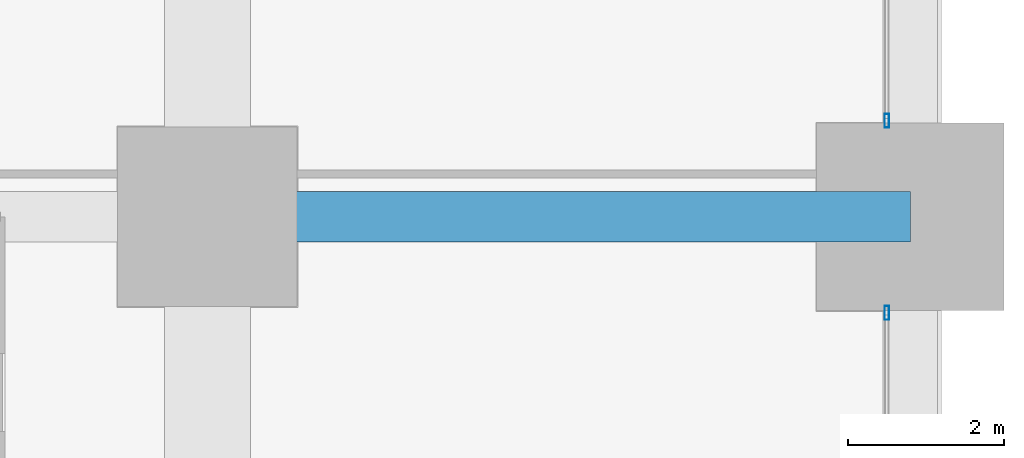
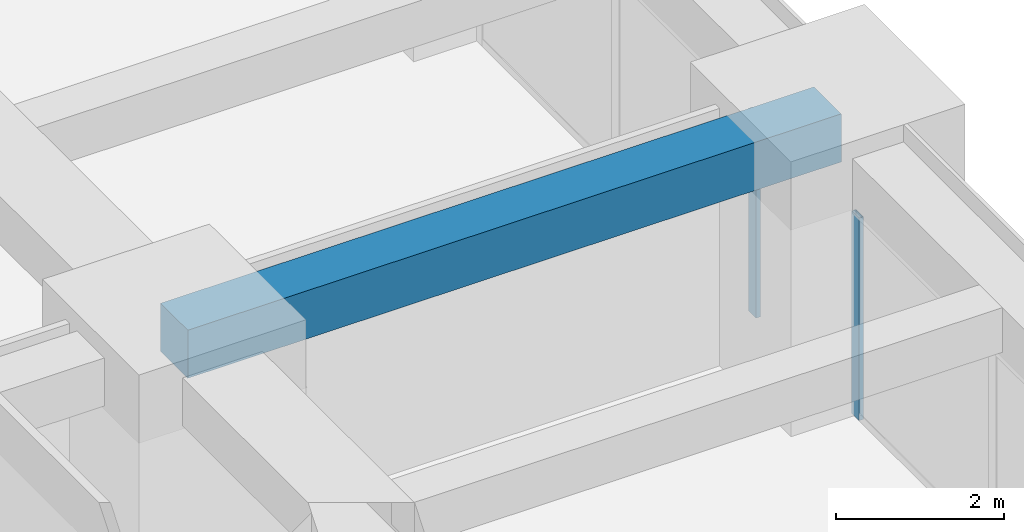
# One storey, part 32 of 45: 2 members, 1 beam, 2 elements without a shape of their own.
"""IFC4 building model written with IfcOpenShell, lengths in metres."""

from ifc_helpers import new_model, si_unit, direction, frame, origin, origin_2d, place, context, subcontext, project, spatial, rectangle, hollow_rectangle, extrude, material, material_profile, profile_set, type_object, element, aggregate, save


model = new_model("IFC4")

# Units and contexts
model_context = context("Model", 3, precision=1e-05, world=origin(), true_north=direction((0.0, 1.0)))
body_context = subcontext(model_context, "Body", "Model", "MODEL_VIEW")
ifc_project = project(units=[si_unit("LENGTHUNIT", "METRE"), si_unit("AREAUNIT", "SQUARE_METRE"), si_unit("VOLUMEUNIT", "CUBIC_METRE"), si_unit("PLANEANGLEUNIT", "RADIAN"), si_unit("MASSUNIT", "GRAM", prefix="KILO")], contexts=[model_context])

# Site, building, storey
site_placement = place(None, origin())
site = spatial("IfcSite", under=ifc_project, at=site_placement, CompositionType="ELEMENT")
building_placement = place(site_placement, origin())
building = spatial("IfcBuilding", under=site, at=building_placement, Name="Zorevar Civic Tower", CompositionType="ELEMENT")
storey_placement = place(building_placement, frame((0.0, 0.0, 47.800048828125)))
storey = spatial("IfcBuildingStorey", under=building, at=storey_placement, Name="L11", CompositionType="ELEMENT", Elevation=47.800048828125)

# Beam
ifc_material_1 = material(Name="Concrete C50/60", Category="concrete")
ifc_material_profile_1 = material_profile(ifc_material_1, rectangle(XDim=0.64990234375, YDim=0.699951171875, at=origin_2d()), Name="RC 650x700")
ifc_profile_set_1 = profile_set([ifc_material_profile_1], Name="Concrete C50/60")
beam_type = type_object("IfcBeamType", Name="Beam RC 650x700", PredefinedType="BEAM", material=ifc_profile_set_1)
beam_placement = place(storey_placement, frame((54.0, 36.0, 3.39990234375), z_axis=(1.0, 0.0, 0.0), x_axis=(0.0, 1.0, 0.0)))
element("IfcBeam", 1, at=beam_placement, inside=storey, type_object=beam_type, Name="Girder L12", PredefinedType="BEAM", context=body_context, shape_type="SweptSolid", body=[
    extrude(rectangle(XDim=0.64990234375, YDim=0.699951171875, at=origin_2d()), origin(), (0.0, 0.0, 1.0), 9.0),
])

# Curtain wall, member
ifc_material_2 = material(Name="Dark grey solar-control glass in black aluminium frame", Category="aluminium")
curtain_wall_type = type_object("IfcCurtainWallType", Name="Curtain wall CW2 low zone", PredefinedType="NOTDEFINED", material=ifc_material_2)
curtain_wall_1_placement = place(storey_placement, origin())
curtain_wall_1 = element("IfcCurtainWall", 2, at=curtain_wall_1_placement, inside=storey, type_object=curtain_wall_type, Name="CW2 L11", PredefinedType="NOTDEFINED")
ifc_material_3 = material(Name="Aluminium, black anodised", Category="aluminium")
ifc_material_profile_2 = material_profile(ifc_material_3, hollow_rectangle(XDim=0.06005859375, YDim=0.179931640625, WallThickness=0.00390625, at=origin_2d()), Name="AL 180x60x4")
ifc_profile_set_2 = profile_set([ifc_material_profile_2], Name="Aluminium, black anodised")
member_type = type_object("IfcMemberType", Name="CW2 mullion AL 180x60x4", PredefinedType="MULLION", material=ifc_profile_set_2)
member_1_placement = place(storey_placement, frame((62.699951171875, 34.77001953125, 0.0), z_axis=(0.0, 0.0, 1.0), x_axis=(-1.0, 0.0, 0.0)))
member_1 = element("IfcMember", 3, at=member_1_placement, type_object=member_type, Name="CW2 mullion 3", PredefinedType="MULLION", context=body_context, shape_type="SweptSolid", body=[
    extrude(hollow_rectangle(XDim=0.06005859375, YDim=0.179931640625, WallThickness=0.00390625, at=origin_2d()), origin(), (0.0, 0.0, 1.0), 2.949951171875),
])
aggregate(curtain_wall_1, [member_1])

curtain_wall_2_placement = place(storey_placement, origin())
curtain_wall_2 = element("IfcCurtainWall", 4, at=curtain_wall_2_placement, inside=storey, type_object=curtain_wall_type, Name="CW2 L11", PredefinedType="NOTDEFINED")
member_2_placement = place(storey_placement, frame((62.699951171875, 37.22998046875, 0.0), z_axis=(0.0, 0.0, 1.0), x_axis=(-1.0, 0.0, 0.0)))
member_2 = element("IfcMember", 5, at=member_2_placement, type_object=member_type, Name="CW2 mullion 1", PredefinedType="MULLION", context=body_context, shape_type="SweptSolid", body=[
    extrude(hollow_rectangle(XDim=0.06005859375, YDim=0.179931640625, WallThickness=0.00390625, at=origin_2d()), origin(), (0.0, 0.0, 1.0), 2.949951171875),
])
aggregate(curtain_wall_2, [member_2])

save(model, "model.ifc")
